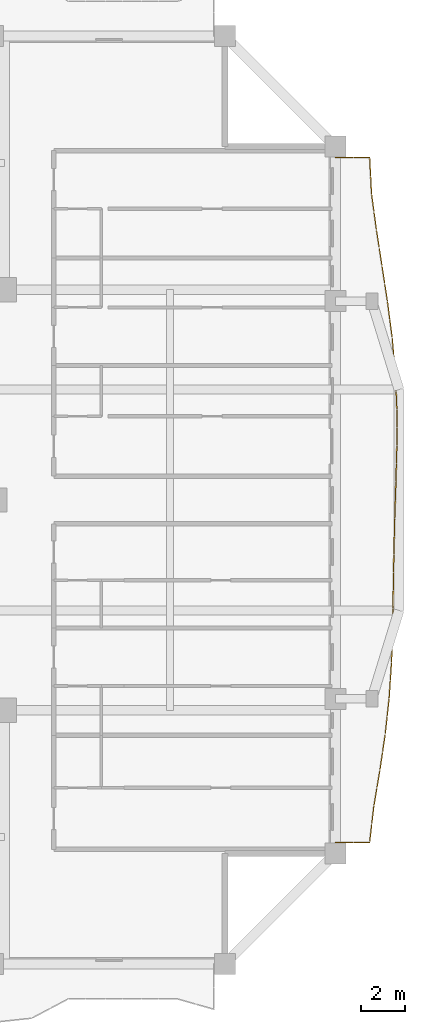
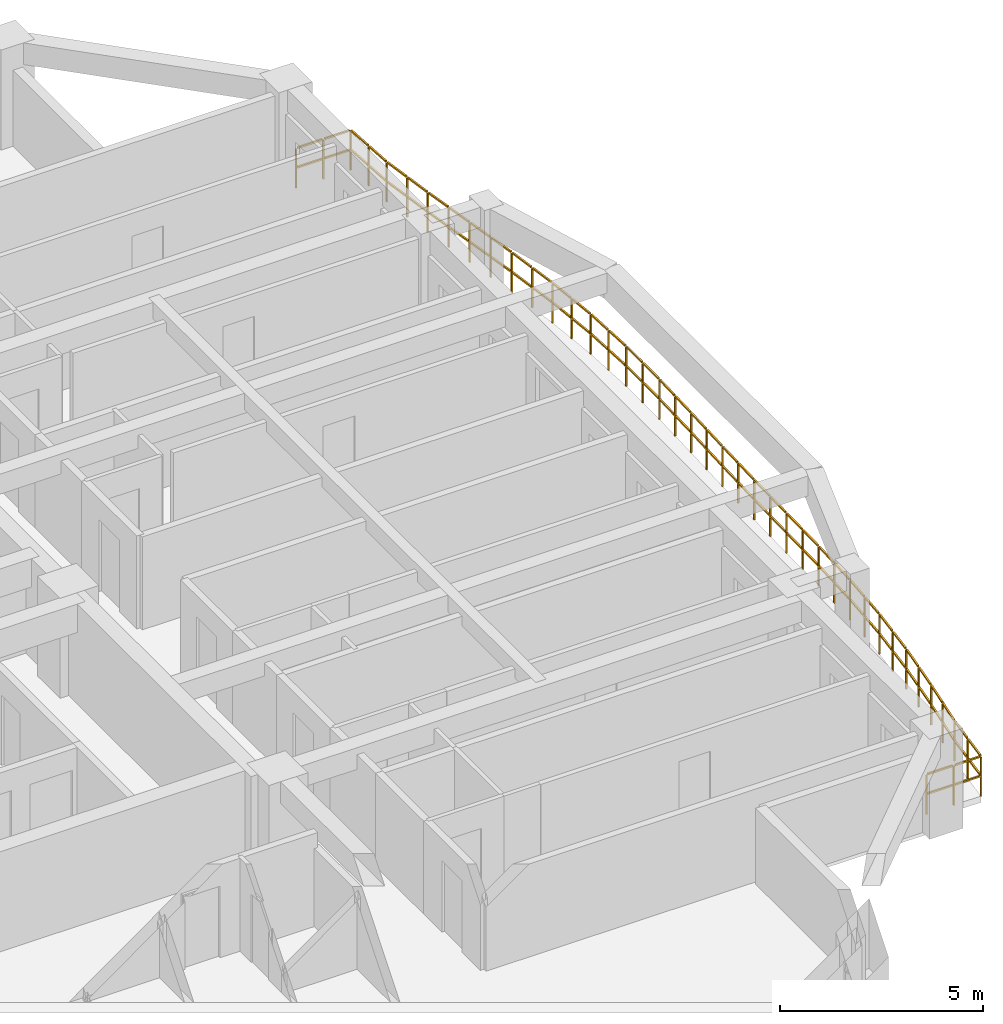
# One storey, part 14 of 15: 1 railing.
"""IFC4 building model written with IfcOpenShell, lengths in metres."""

from ifc_helpers import new_model, si_unit, direction, frame, origin, origin_2d, place, context, subcontext, project, spatial, rectangle, extrude, material, type_object, element, save


model = new_model("IFC4")

# Units and contexts
model_context = context("Model", 3, precision=1e-05, world=origin(), true_north=direction((0.0, 1.0)))
body_context = subcontext(model_context, "Body", "Model", "MODEL_VIEW")
ifc_project = project(units=[si_unit("LENGTHUNIT", "METRE"), si_unit("AREAUNIT", "SQUARE_METRE"), si_unit("VOLUMEUNIT", "CUBIC_METRE"), si_unit("PLANEANGLEUNIT", "RADIAN"), si_unit("MASSUNIT", "GRAM", prefix="KILO")], contexts=[model_context])

# Site, building, storey
site_placement = place(None, origin())
site = spatial("IfcSite", under=ifc_project, at=site_placement, CompositionType="ELEMENT")
building_placement = place(site_placement, origin())
building = spatial("IfcBuilding", under=site, at=building_placement, Name="Saelheon Loggia Tower", CompositionType="ELEMENT")
storey_placement = place(building_placement, frame((0.0, 0.0, 163.0)))
storey = spatial("IfcBuildingStorey", under=building, at=storey_placement, Name="L51", CompositionType="ELEMENT", Elevation=163.0)

# Railing
ifc_material = material(Name="Architectural Precast Concrete and Laminated Glass Guard", Category="concrete")
railing_type = type_object("IfcRailingType", Name="Guard_Loggia_RL_LOG", PredefinedType="BALUSTRADE", material=ifc_material)
railing_placement = place(storey_placement, frame((60.0, 11.5, 0.0)))
element("IfcRailing", 1, at=railing_placement, inside=storey, type_object=railing_type, Name="L51 East Loggia Balustrade", PredefinedType="BALUSTRADE", context=body_context, shape_type="SweptSolid", body=[
    extrude(rectangle(XDim=0.048095703125, YDim=0.048095703125, at=origin_2d()), frame((0.033203125, 0.0, 1.19580078125), z_axis=(1.0, 0.0, 0.0), x_axis=(0.0, 1.0, 0.0)), (0.0, 0.0, 1.0), 0.70849609375),
    extrude(rectangle(XDim=0.048095703125, YDim=0.048095703125, at=origin_2d()), frame((0.033203125, 0.0, 0.60986328125), z_axis=(1.0, 0.0, 0.0), x_axis=(0.0, 1.0, 0.0)), (0.0, 0.0, 1.0), 0.70849609375),
    extrude(rectangle(XDim=0.048095703125, YDim=0.048095703125, at=origin_2d()), frame((0.808349609375, 0.0, 1.19580078125), z_axis=(1.0, 0.0, 0.0), x_axis=(0.0, 1.0, 0.0)), (0.0, 0.0, 1.0), 0.70849609375),
    extrude(rectangle(XDim=0.048095703125, YDim=0.048095703125, at=origin_2d()), frame((0.808349609375, 0.0, 0.60986328125), z_axis=(1.0, 0.0, 0.0), x_axis=(0.0, 1.0, 0.0)), (0.0, 0.0, 1.0), 0.70849609375),
    extrude(rectangle(XDim=0.048095703125, YDim=0.048095703125, at=origin_2d()), frame((1.553955078125, 0.032958984375, 1.19580078125), z_axis=(0.11592713187, 0.993257720884, 0.0), x_axis=(-0.993257720884, 0.11592713187, 0.0)), (0.0, 0.0, 1.0), 0.7548828125),
    extrude(rectangle(XDim=0.048095703125, YDim=0.048095703125, at=origin_2d()), frame((1.553955078125, 0.032958984375, 0.60986328125), z_axis=(0.11592713187, 0.993257720884, 0.0), x_axis=(-0.993257720884, 0.11592713187, 0.0)), (0.0, 0.0, 1.0), 0.7548828125),
    extrude(rectangle(XDim=0.048095703125, YDim=0.048095703125, at=origin_2d()), frame((1.649169921875, 0.848876953125, 1.19580078125), z_axis=(0.11592713187, 0.993257720884, 0.0), x_axis=(-0.993257720884, 0.11592713187, 0.0)), (0.0, 0.0, 1.0), 0.7548828125),
    extrude(rectangle(XDim=0.048095703125, YDim=0.048095703125, at=origin_2d()), frame((1.649169921875, 0.848876953125, 0.60986328125), z_axis=(0.11592713187, 0.993257720884, 0.0), x_axis=(-0.993257720884, 0.11592713187, 0.0)), (0.0, 0.0, 1.0), 0.7548828125),
    extrude(rectangle(XDim=0.048095703125, YDim=0.048095703125, at=origin_2d()), frame((1.74609375, 1.664306640625, 1.19580078125), z_axis=(0.166719283861, 0.98600440181, 0.0), x_axis=(-0.98600440181, 0.166719283861, 0.0)), (0.0, 0.0, 1.0), 0.760986328125),
    extrude(rectangle(XDim=0.048095703125, YDim=0.048095703125, at=origin_2d()), frame((1.74609375, 1.664306640625, 0.60986328125), z_axis=(0.166719283861, 0.98600440181, 0.0), x_axis=(-0.98600440181, 0.166719283861, 0.0)), (0.0, 0.0, 1.0), 0.760986328125),
    extrude(rectangle(XDim=0.048095703125, YDim=0.048095703125, at=origin_2d()), frame((1.884033203125, 2.480224609375, 1.19580078125), z_axis=(0.166719283861, 0.98600440181, 0.0), x_axis=(-0.98600440181, 0.166719283861, 0.0)), (0.0, 0.0, 1.0), 0.760986328125),
    extrude(rectangle(XDim=0.048095703125, YDim=0.048095703125, at=origin_2d()), frame((1.884033203125, 2.480224609375, 0.60986328125), z_axis=(0.166719283861, 0.98600440181, 0.0), x_axis=(-0.98600440181, 0.166719283861, 0.0)), (0.0, 0.0, 1.0), 0.760986328125),
    extrude(rectangle(XDim=0.048095703125, YDim=0.048095703125, at=origin_2d()), frame((2.021240234375, 3.296142578125, 1.19580078125), z_axis=(0.145378914052, 0.989376051534, 0.0), x_axis=(-0.989376051534, 0.145378914052, 0.0)), (0.0, 0.0, 1.0), 0.758056640625),
    extrude(rectangle(XDim=0.048095703125, YDim=0.048095703125, at=origin_2d()), frame((2.021240234375, 3.296142578125, 0.60986328125), z_axis=(0.145378914052, 0.989376051534, 0.0), x_axis=(-0.989376051534, 0.145378914052, 0.0)), (0.0, 0.0, 1.0), 0.758056640625),
    extrude(rectangle(XDim=0.048095703125, YDim=0.048095703125, at=origin_2d()), frame((2.14111328125, 4.11181640625, 1.19580078125), z_axis=(0.145378914052, 0.989376051534, 0.0), x_axis=(-0.989376051534, 0.145378914052, 0.0)), (0.0, 0.0, 1.0), 0.758056640625),
    extrude(rectangle(XDim=0.048095703125, YDim=0.048095703125, at=origin_2d()), frame((2.14111328125, 4.11181640625, 0.60986328125), z_axis=(0.145378914052, 0.989376051534, 0.0), x_axis=(-0.989376051534, 0.145378914052, 0.0)), (0.0, 0.0, 1.0), 0.758056640625),
    extrude(rectangle(XDim=0.048095703125, YDim=0.048095703125, at=origin_2d()), frame((2.259765625, 4.927734375, 1.19580078125), z_axis=(0.107998454426, 0.994151061882, 0.0), x_axis=(-0.994151061882, 0.107998454426, 0.0)), (0.0, 0.0, 1.0), 0.754150390625),
    extrude(rectangle(XDim=0.048095703125, YDim=0.048095703125, at=origin_2d()), frame((2.259765625, 4.927734375, 0.60986328125), z_axis=(0.107998454426, 0.994151061882, 0.0), x_axis=(-0.994151061882, 0.107998454426, 0.0)), (0.0, 0.0, 1.0), 0.754150390625),
    extrude(rectangle(XDim=0.048095703125, YDim=0.048095703125, at=origin_2d()), frame((2.348388671875, 5.74365234375, 1.19580078125), z_axis=(0.107998454426, 0.994151061882, 0.0), x_axis=(-0.994151061882, 0.107998454426, 0.0)), (0.0, 0.0, 1.0), 0.754150390625),
    extrude(rectangle(XDim=0.048095703125, YDim=0.048095703125, at=origin_2d()), frame((2.348388671875, 5.74365234375, 0.60986328125), z_axis=(0.107998454426, 0.994151061882, 0.0), x_axis=(-0.994151061882, 0.107998454426, 0.0)), (0.0, 0.0, 1.0), 0.754150390625),
    extrude(rectangle(XDim=0.048095703125, YDim=0.048095703125, at=origin_2d()), frame((2.435546875, 6.5595703125, 1.19580078125), z_axis=(0.066142438238, 0.997810191301, 0.0), x_axis=(-0.997810191301, 0.066142438238, 0.0)), (0.0, 0.0, 1.0), 0.751220703125),
    extrude(rectangle(XDim=0.048095703125, YDim=0.048095703125, at=origin_2d()), frame((2.435546875, 6.5595703125, 0.60986328125), z_axis=(0.066142438238, 0.997810191301, 0.0), x_axis=(-0.997810191301, 0.066142438238, 0.0)), (0.0, 0.0, 1.0), 0.751220703125),
    extrude(rectangle(XDim=0.048095703125, YDim=0.048095703125, at=origin_2d()), frame((2.48974609375, 7.375244140625, 1.19580078125), z_axis=(0.066142438238, 0.997810191301, 0.0), x_axis=(-0.997810191301, 0.066142438238, 0.0)), (0.0, 0.0, 1.0), 0.751220703125),
    extrude(rectangle(XDim=0.048095703125, YDim=0.048095703125, at=origin_2d()), frame((2.48974609375, 7.375244140625, 0.60986328125), z_axis=(0.066142438238, 0.997810191301, 0.0), x_axis=(-0.997810191301, 0.066142438238, 0.0)), (0.0, 0.0, 1.0), 0.751220703125),
    extrude(rectangle(XDim=0.048095703125, YDim=0.048095703125, at=origin_2d()), frame((2.54248046875, 8.191162109375, 1.19580078125), z_axis=(0.032453343645, 0.999473251511, 0.0), x_axis=(-0.999473251511, 0.032453343645, 0.0)), (0.0, 0.0, 1.0), 0.749755859375),
    extrude(rectangle(XDim=0.048095703125, YDim=0.048095703125, at=origin_2d()), frame((2.54248046875, 8.191162109375, 0.60986328125), z_axis=(0.032453343645, 0.999473251511, 0.0), x_axis=(-0.999473251511, 0.032453343645, 0.0)), (0.0, 0.0, 1.0), 0.749755859375),
    extrude(rectangle(XDim=0.048095703125, YDim=0.048095703125, at=origin_2d()), frame((2.569091796875, 9.007080078125, 1.19580078125), z_axis=(0.032453343645, 0.999473251511, 0.0), x_axis=(-0.999473251511, 0.032453343645, 0.0)), (0.0, 0.0, 1.0), 0.749755859375),
    extrude(rectangle(XDim=0.048095703125, YDim=0.048095703125, at=origin_2d()), frame((2.569091796875, 9.007080078125, 0.60986328125), z_axis=(0.032453343645, 0.999473251511, 0.0), x_axis=(-0.999473251511, 0.032453343645, 0.0)), (0.0, 0.0, 1.0), 0.749755859375),
    extrude(rectangle(XDim=0.048095703125, YDim=0.048095703125, at=origin_2d()), frame((2.594970703125, 9.82275390625, 1.19580078125), z_axis=(0.015559989428, 0.999878936036, 0.0), x_axis=(-0.999878936036, 0.015559989428, 0.0)), (0.0, 0.0, 1.0), 0.74951171875),
    extrude(rectangle(XDim=0.048095703125, YDim=0.048095703125, at=origin_2d()), frame((2.594970703125, 9.82275390625, 0.60986328125), z_axis=(0.015559989428, 0.999878936036, 0.0), x_axis=(-0.999878936036, 0.015559989428, 0.0)), (0.0, 0.0, 1.0), 0.74951171875),
    extrude(rectangle(XDim=0.048095703125, YDim=0.048095703125, at=origin_2d()), frame((2.607666015625, 10.638671875, 1.19580078125), z_axis=(0.015559989428, 0.999878936036, 0.0), x_axis=(-0.999878936036, 0.015559989428, 0.0)), (0.0, 0.0, 1.0), 0.74951171875),
    extrude(rectangle(XDim=0.048095703125, YDim=0.048095703125, at=origin_2d()), frame((2.607666015625, 10.638671875, 0.60986328125), z_axis=(0.015559989428, 0.999878936036, 0.0), x_axis=(-0.999878936036, 0.015559989428, 0.0)), (0.0, 0.0, 1.0), 0.74951171875),
    extrude(rectangle(XDim=0.048095703125, YDim=0.048095703125, at=origin_2d()), frame((2.620361328125, 11.454345703125, 1.19580078125), z_axis=(0.015562317507, 0.999878899804, 0.0), x_axis=(-0.999878899804, 0.015562317507, 0.0)), (0.0, 0.0, 1.0), 0.749267578125),
    extrude(rectangle(XDim=0.048095703125, YDim=0.048095703125, at=origin_2d()), frame((2.620361328125, 11.454345703125, 0.60986328125), z_axis=(0.015562317507, 0.999878899804, 0.0), x_axis=(-0.999878899804, 0.015562317507, 0.0)), (0.0, 0.0, 1.0), 0.749267578125),
    extrude(rectangle(XDim=0.048095703125, YDim=0.048095703125, at=origin_2d()), frame((2.633056640625, 12.27001953125, 1.19580078125), z_axis=(0.015562317507, 0.999878899804, 0.0), x_axis=(-0.999878899804, 0.015562317507, 0.0)), (0.0, 0.0, 1.0), 0.749267578125),
    extrude(rectangle(XDim=0.048095703125, YDim=0.048095703125, at=origin_2d()), frame((2.633056640625, 12.27001953125, 0.60986328125), z_axis=(0.015562317507, 0.999878899804, 0.0), x_axis=(-0.999878899804, 0.015562317507, 0.0)), (0.0, 0.0, 1.0), 0.749267578125),
    extrude(rectangle(XDim=0.048095703125, YDim=0.048095703125, at=origin_2d()), frame((2.64599609375, 13.085693359375, 1.19580078125), z_axis=(0.024980979164, 0.999687926645, 0.0), x_axis=(-0.999687926645, 0.024980979164, 0.0)), (0.0, 0.0, 1.0), 0.74951171875),
    extrude(rectangle(XDim=0.048095703125, YDim=0.048095703125, at=origin_2d()), frame((2.64599609375, 13.085693359375, 0.60986328125), z_axis=(0.024980979164, 0.999687926645, 0.0), x_axis=(-0.999687926645, 0.024980979164, 0.0)), (0.0, 0.0, 1.0), 0.74951171875),
    extrude(rectangle(XDim=0.048095703125, YDim=0.048095703125, at=origin_2d()), frame((2.66650390625, 13.901611328125, 1.19580078125), z_axis=(0.024980979164, 0.999687926645, 0.0), x_axis=(-0.999687926645, 0.024980979164, 0.0)), (0.0, 0.0, 1.0), 0.74951171875),
    extrude(rectangle(XDim=0.048095703125, YDim=0.048095703125, at=origin_2d()), frame((2.66650390625, 13.901611328125, 0.60986328125), z_axis=(0.024980979164, 0.999687926645, 0.0), x_axis=(-0.999687926645, 0.024980979164, 0.0)), (0.0, 0.0, 1.0), 0.74951171875),
    extrude(rectangle(XDim=0.048095703125, YDim=0.048095703125, at=origin_2d()), frame((2.68701171875, 14.71728515625, 1.19580078125), z_axis=(0.032149739476, 0.999483063514, 0.0), x_axis=(-0.999483063514, 0.032149739476, 0.0)), (0.0, 0.0, 1.0), 0.749755859375),
    extrude(rectangle(XDim=0.048095703125, YDim=0.048095703125, at=origin_2d()), frame((2.68701171875, 14.71728515625, 0.60986328125), z_axis=(0.032149739476, 0.999483063514, 0.0), x_axis=(-0.999483063514, 0.032149739476, 0.0)), (0.0, 0.0, 1.0), 0.749755859375),
    extrude(rectangle(XDim=0.048095703125, YDim=0.048095703125, at=origin_2d()), frame((2.71337890625, 15.533203125, 1.19580078125), z_axis=(0.032149739476, 0.999483063514, 0.0), x_axis=(-0.999483063514, 0.032149739476, 0.0)), (0.0, 0.0, 1.0), 0.749755859375),
    extrude(rectangle(XDim=0.048095703125, YDim=0.048095703125, at=origin_2d()), frame((2.71337890625, 15.533203125, 0.60986328125), z_axis=(0.032149739476, 0.999483063514, 0.0), x_axis=(-0.999483063514, 0.032149739476, 0.0)), (0.0, 0.0, 1.0), 0.749755859375),
    extrude(rectangle(XDim=0.048095703125, YDim=0.048095703125, at=origin_2d()), frame((2.739501953125, 16.34912109375, 1.19580078125), z_axis=(0.026027390997, 0.999661230076, 0.0), x_axis=(-0.999661230076, 0.026027390997, 0.0)), (0.0, 0.0, 1.0), 0.74951171875),
    extrude(rectangle(XDim=0.048095703125, YDim=0.048095703125, at=origin_2d()), frame((2.739501953125, 16.34912109375, 0.60986328125), z_axis=(0.026027390997, 0.999661230076, 0.0), x_axis=(-0.999661230076, 0.026027390997, 0.0)), (0.0, 0.0, 1.0), 0.74951171875),
    extrude(rectangle(XDim=0.048095703125, YDim=0.048095703125, at=origin_2d()), frame((2.7607421875, 17.1650390625, 1.19580078125), z_axis=(0.026027390997, 0.999661230076, 0.0), x_axis=(-0.999661230076, 0.026027390997, 0.0)), (0.0, 0.0, 1.0), 0.74951171875),
    extrude(rectangle(XDim=0.048095703125, YDim=0.048095703125, at=origin_2d()), frame((2.7607421875, 17.1650390625, 0.60986328125), z_axis=(0.026027390997, 0.999661230076, 0.0), x_axis=(-0.999661230076, 0.026027390997, 0.0)), (0.0, 0.0, 1.0), 0.74951171875),
    extrude(rectangle(XDim=0.048095703125, YDim=0.048095703125, at=origin_2d()), frame((2.781005859375, 17.980712890625, 1.19580078125), z_axis=(0.000748278749, 0.999999720039, 0.0), x_axis=(-0.999999720039, 0.000748278749, 0.0)), (0.0, 0.0, 1.0), 0.749267578125),
    extrude(rectangle(XDim=0.048095703125, YDim=0.048095703125, at=origin_2d()), frame((2.781005859375, 17.980712890625, 0.60986328125), z_axis=(0.000748278749, 0.999999720039, 0.0), x_axis=(-0.999999720039, 0.000748278749, 0.0)), (0.0, 0.0, 1.0), 0.749267578125),
    extrude(rectangle(XDim=0.048095703125, YDim=0.048095703125, at=origin_2d()), frame((2.78173828125, 18.79638671875, 1.19580078125), z_axis=(0.000748278749, 0.999999720039, 0.0), x_axis=(-0.999999720039, 0.000748278749, 0.0)), (0.0, 0.0, 1.0), 0.749267578125),
    extrude(rectangle(XDim=0.048095703125, YDim=0.048095703125, at=origin_2d()), frame((2.78173828125, 18.79638671875, 0.60986328125), z_axis=(0.000748278749, 0.999999720039, 0.0), x_axis=(-0.999999720039, 0.000748278749, 0.0)), (0.0, 0.0, 1.0), 0.749267578125),
    extrude(rectangle(XDim=0.048095703125, YDim=0.048095703125, at=origin_2d()), frame((2.78076171875, 19.612060546875, 1.19580078125), z_axis=(-0.040666615849, 0.999172771024, 0.0), x_axis=(-0.999172771024, -0.040666615849, 0.0)), (0.0, 0.0, 1.0), 0.75),
    extrude(rectangle(XDim=0.048095703125, YDim=0.048095703125, at=origin_2d()), frame((2.78076171875, 19.612060546875, 0.60986328125), z_axis=(-0.040666615849, 0.999172771024, 0.0), x_axis=(-0.999172771024, -0.040666615849, 0.0)), (0.0, 0.0, 1.0), 0.75),
    extrude(rectangle(XDim=0.048095703125, YDim=0.048095703125, at=origin_2d()), frame((2.74755859375, 20.427978515625, 1.19580078125), z_axis=(-0.040666615849, 0.999172771024, 0.0), x_axis=(-0.999172771024, -0.040666615849, 0.0)), (0.0, 0.0, 1.0), 0.75),
    extrude(rectangle(XDim=0.048095703125, YDim=0.048095703125, at=origin_2d()), frame((2.74755859375, 20.427978515625, 0.60986328125), z_axis=(-0.040666615849, 0.999172771024, 0.0), x_axis=(-0.999172771024, -0.040666615849, 0.0)), (0.0, 0.0, 1.0), 0.75),
    extrude(rectangle(XDim=0.048095703125, YDim=0.048095703125, at=origin_2d()), frame((2.712890625, 21.24365234375, 1.19580078125), z_axis=(-0.088237451096, 0.996099469041, 0.0), x_axis=(-0.996099469041, -0.088237451096, 0.0)), (0.0, 0.0, 1.0), 0.75244140625),
    extrude(rectangle(XDim=0.048095703125, YDim=0.048095703125, at=origin_2d()), frame((2.712890625, 21.24365234375, 0.60986328125), z_axis=(-0.088237451096, 0.996099469041, 0.0), x_axis=(-0.996099469041, -0.088237451096, 0.0)), (0.0, 0.0, 1.0), 0.75244140625),
    extrude(rectangle(XDim=0.048095703125, YDim=0.048095703125, at=origin_2d()), frame((2.640625, 22.059326171875, 1.19580078125), z_axis=(-0.088237451096, 0.996099469041, 0.0), x_axis=(-0.996099469041, -0.088237451096, 0.0)), (0.0, 0.0, 1.0), 0.75244140625),
    extrude(rectangle(XDim=0.048095703125, YDim=0.048095703125, at=origin_2d()), frame((2.640625, 22.059326171875, 0.60986328125), z_axis=(-0.088237451096, 0.996099469041, 0.0), x_axis=(-0.996099469041, -0.088237451096, 0.0)), (0.0, 0.0, 1.0), 0.75244140625),
    extrude(rectangle(XDim=0.048095703125, YDim=0.048095703125, at=origin_2d()), frame((2.56689453125, 22.875, 1.19580078125), z_axis=(-0.128945873012, 0.991651633303, 0.0), x_axis=(-0.991651633303, -0.128945873012, 0.0)), (0.0, 0.0, 1.0), 0.756103515625),
    extrude(rectangle(XDim=0.048095703125, YDim=0.048095703125, at=origin_2d()), frame((2.56689453125, 22.875, 0.60986328125), z_axis=(-0.128945873012, 0.991651633303, 0.0), x_axis=(-0.991651633303, -0.128945873012, 0.0)), (0.0, 0.0, 1.0), 0.756103515625),
    extrude(rectangle(XDim=0.048095703125, YDim=0.048095703125, at=origin_2d()), frame((2.4609375, 23.690673828125, 1.19580078125), z_axis=(-0.128945873012, 0.991651633303, 0.0), x_axis=(-0.991651633303, -0.128945873012, 0.0)), (0.0, 0.0, 1.0), 0.756103515625),
    extrude(rectangle(XDim=0.048095703125, YDim=0.048095703125, at=origin_2d()), frame((2.4609375, 23.690673828125, 0.60986328125), z_axis=(-0.128945873012, 0.991651633303, 0.0), x_axis=(-0.991651633303, -0.128945873012, 0.0)), (0.0, 0.0, 1.0), 0.756103515625),
    extrude(rectangle(XDim=0.048095703125, YDim=0.048095703125, at=origin_2d()), frame((2.35400390625, 24.506591796875, 1.19580078125), z_axis=(-0.151601487322, 0.988441697341, 0.0), x_axis=(-0.988441697341, -0.151601487322, 0.0)), (0.0, 0.0, 1.0), 0.7587890625),
    extrude(rectangle(XDim=0.048095703125, YDim=0.048095703125, at=origin_2d()), frame((2.35400390625, 24.506591796875, 0.60986328125), z_axis=(-0.151601487322, 0.988441697341, 0.0), x_axis=(-0.988441697341, -0.151601487322, 0.0)), (0.0, 0.0, 1.0), 0.7587890625),
    extrude(rectangle(XDim=0.048095703125, YDim=0.048095703125, at=origin_2d()), frame((2.22900390625, 25.322265625, 1.19580078125), z_axis=(-0.151601487322, 0.988441697341, 0.0), x_axis=(-0.988441697341, -0.151601487322, 0.0)), (0.0, 0.0, 1.0), 0.7587890625),
    extrude(rectangle(XDim=0.048095703125, YDim=0.048095703125, at=origin_2d()), frame((2.22900390625, 25.322265625, 0.60986328125), z_axis=(-0.151601487322, 0.988441697341, 0.0), x_axis=(-0.988441697341, -0.151601487322, 0.0)), (0.0, 0.0, 1.0), 0.7587890625),
    extrude(rectangle(XDim=0.048095703125, YDim=0.048095703125, at=origin_2d()), frame((2.103759765625, 26.13818359375, 1.19580078125), z_axis=(-0.152323888709, 0.988330629359, 0.0), x_axis=(-0.988330629359, -0.152323888709, 0.0)), (0.0, 0.0, 1.0), 0.759033203125),
    extrude(rectangle(XDim=0.048095703125, YDim=0.048095703125, at=origin_2d()), frame((2.103759765625, 26.13818359375, 0.60986328125), z_axis=(-0.152323888709, 0.988330629359, 0.0), x_axis=(-0.988330629359, -0.152323888709, 0.0)), (0.0, 0.0, 1.0), 0.759033203125),
    extrude(rectangle(XDim=0.048095703125, YDim=0.048095703125, at=origin_2d()), frame((1.97802734375, 26.953857421875, 1.19580078125), z_axis=(-0.152323888709, 0.988330629359, 0.0), x_axis=(-0.988330629359, -0.152323888709, 0.0)), (0.0, 0.0, 1.0), 0.759033203125),
    extrude(rectangle(XDim=0.048095703125, YDim=0.048095703125, at=origin_2d()), frame((1.97802734375, 26.953857421875, 0.60986328125), z_axis=(-0.152323888709, 0.988330629359, 0.0), x_axis=(-0.988330629359, -0.152323888709, 0.0)), (0.0, 0.0, 1.0), 0.759033203125),
    extrude(rectangle(XDim=0.048095703125, YDim=0.048095703125, at=origin_2d()), frame((1.85302734375, 27.769775390625, 1.19580078125), z_axis=(-0.134484591682, 0.99091568491, 0.0), x_axis=(-0.99091568491, -0.134484591682, 0.0)), (0.0, 0.0, 1.0), 0.7568359375),
    extrude(rectangle(XDim=0.048095703125, YDim=0.048095703125, at=origin_2d()), frame((1.85302734375, 27.769775390625, 0.60986328125), z_axis=(-0.134484591682, 0.99091568491, 0.0), x_axis=(-0.99091568491, -0.134484591682, 0.0)), (0.0, 0.0, 1.0), 0.7568359375),
    extrude(rectangle(XDim=0.048095703125, YDim=0.048095703125, at=origin_2d()), frame((1.7421875, 28.58544921875, 1.19580078125), z_axis=(-0.134484591682, 0.99091568491, 0.0), x_axis=(-0.99091568491, -0.134484591682, 0.0)), (0.0, 0.0, 1.0), 0.7568359375),
    extrude(rectangle(XDim=0.048095703125, YDim=0.048095703125, at=origin_2d()), frame((1.7421875, 28.58544921875, 0.60986328125), z_axis=(-0.134484591682, 0.99091568491, 0.0), x_axis=(-0.99091568491, -0.134484591682, 0.0)), (0.0, 0.0, 1.0), 0.7568359375),
    extrude(rectangle(XDim=0.048095703125, YDim=0.048095703125, at=origin_2d()), frame((1.63427734375, 29.401611328125, 1.19580078125), z_axis=(-0.052598047159, 0.998615764664, 0.0), x_axis=(-0.998615764664, -0.052598047159, 0.0)), (0.0, 0.0, 1.0), 0.75048828125),
    extrude(rectangle(XDim=0.048095703125, YDim=0.048095703125, at=origin_2d()), frame((1.63427734375, 29.401611328125, 0.60986328125), z_axis=(-0.052598047159, 0.998615764664, 0.0), x_axis=(-0.998615764664, -0.052598047159, 0.0)), (0.0, 0.0, 1.0), 0.75048828125),
    extrude(rectangle(XDim=0.048095703125, YDim=0.048095703125, at=origin_2d()), frame((1.59130859375, 30.21728515625, 1.19580078125), z_axis=(-0.052598047159, 0.998615764664, 0.0), x_axis=(-0.998615764664, -0.052598047159, 0.0)), (0.0, 0.0, 1.0), 0.75048828125),
    extrude(rectangle(XDim=0.048095703125, YDim=0.048095703125, at=origin_2d()), frame((1.59130859375, 30.21728515625, 0.60986328125), z_axis=(-0.052598047159, 0.998615764664, 0.0), x_axis=(-0.998615764664, -0.052598047159, 0.0)), (0.0, 0.0, 1.0), 0.75048828125),
    extrude(rectangle(XDim=0.048095703125, YDim=0.048095703125, at=origin_2d()), frame((1.516845703125, 31.0, 1.19580078125), z_axis=(-1.0, 0.0, 0.0), x_axis=(0.0, -1.0, 0.0)), (0.0, 0.0, 1.0), 0.70849609375),
    extrude(rectangle(XDim=0.048095703125, YDim=0.048095703125, at=origin_2d()), frame((1.516845703125, 31.0, 0.60986328125), z_axis=(-1.0, 0.0, 0.0), x_axis=(0.0, -1.0, 0.0)), (0.0, 0.0, 1.0), 0.70849609375),
    extrude(rectangle(XDim=0.048095703125, YDim=0.048095703125, at=origin_2d()), frame((0.74169921875, 31.0, 1.19580078125), z_axis=(-1.0, 0.0, 0.0), x_axis=(0.0, -1.0, 0.0)), (0.0, 0.0, 1.0), 0.70849609375),
    extrude(rectangle(XDim=0.048095703125, YDim=0.048095703125, at=origin_2d()), frame((0.74169921875, 31.0, 0.60986328125), z_axis=(-1.0, 0.0, 0.0), x_axis=(0.0, -1.0, 0.0)), (0.0, 0.0, 1.0), 0.70849609375),
    extrude(rectangle(XDim=0.0419921875, YDim=0.0419921875, at=origin_2d()), origin(), (0.0, 0.0, 1.0), 1.16796875),
    extrude(rectangle(XDim=0.0419921875, YDim=0.0419921875, at=origin_2d()), frame((0.77490234375, 0.0, 0.0)), (0.0, 0.0, 1.0), 1.16796875),
    extrude(rectangle(XDim=0.0419921875, YDim=0.0419921875, at=origin_2d()), frame((1.550048828125, 0.0, 0.0)), (0.0, 0.0, 1.0), 1.16796875),
    extrude(rectangle(XDim=0.0419921875, YDim=0.0419921875, at=origin_2d()), frame((1.645263671875, 0.81591796875, 0.0)), (0.0, 0.0, 1.0), 1.16796875),
    extrude(rectangle(XDim=0.0419921875, YDim=0.0419921875, at=origin_2d()), frame((1.740478515625, 1.631591796875, 0.0)), (0.0, 0.0, 1.0), 1.16796875),
    extrude(rectangle(XDim=0.0419921875, YDim=0.0419921875, at=origin_2d()), frame((1.87841796875, 2.447265625, 0.0)), (0.0, 0.0, 1.0), 1.16796875),
    extrude(rectangle(XDim=0.0419921875, YDim=0.0419921875, at=origin_2d()), frame((2.016357421875, 3.26318359375, 0.0)), (0.0, 0.0, 1.0), 1.16796875),
    extrude(rectangle(XDim=0.0419921875, YDim=0.0419921875, at=origin_2d()), frame((2.13623046875, 4.0791015625, 0.0)), (0.0, 0.0, 1.0), 1.16796875),
    extrude(rectangle(XDim=0.0419921875, YDim=0.0419921875, at=origin_2d()), frame((2.256103515625, 4.894775390625, 0.0)), (0.0, 0.0, 1.0), 1.16796875),
    extrude(rectangle(XDim=0.0419921875, YDim=0.0419921875, at=origin_2d()), frame((2.3447265625, 5.71044921875, 0.0)), (0.0, 0.0, 1.0), 1.16796875),
    extrude(rectangle(XDim=0.0419921875, YDim=0.0419921875, at=origin_2d()), frame((2.433349609375, 6.5263671875, 0.0)), (0.0, 0.0, 1.0), 1.16796875),
    extrude(rectangle(XDim=0.0419921875, YDim=0.0419921875, at=origin_2d()), frame((2.4873046875, 7.34228515625, 0.0)), (0.0, 0.0, 1.0), 1.16796875),
    extrude(rectangle(XDim=0.0419921875, YDim=0.0419921875, at=origin_2d()), frame((2.54150390625, 8.157958984375, 0.0)), (0.0, 0.0, 1.0), 1.16796875),
    extrude(rectangle(XDim=0.0419921875, YDim=0.0419921875, at=origin_2d()), frame((2.56787109375, 8.9736328125, 0.0)), (0.0, 0.0, 1.0), 1.16796875),
    extrude(rectangle(XDim=0.0419921875, YDim=0.0419921875, at=origin_2d()), frame((2.594482421875, 9.78955078125, 0.0)), (0.0, 0.0, 1.0), 1.16796875),
    extrude(rectangle(XDim=0.0419921875, YDim=0.0419921875, at=origin_2d()), frame((2.607177734375, 10.60546875, 0.0)), (0.0, 0.0, 1.0), 1.16796875),
    extrude(rectangle(XDim=0.0419921875, YDim=0.0419921875, at=origin_2d()), frame((2.619873046875, 11.421142578125, 0.0)), (0.0, 0.0, 1.0), 1.16796875),
    extrude(rectangle(XDim=0.0419921875, YDim=0.0419921875, at=origin_2d()), frame((2.632568359375, 12.23681640625, 0.0)), (0.0, 0.0, 1.0), 1.16796875),
    extrude(rectangle(XDim=0.0419921875, YDim=0.0419921875, at=origin_2d()), frame((2.645263671875, 13.052490234375, 0.0)), (0.0, 0.0, 1.0), 1.16796875),
    extrude(rectangle(XDim=0.0419921875, YDim=0.0419921875, at=origin_2d()), frame((2.66552734375, 13.8681640625, 0.0)), (0.0, 0.0, 1.0), 1.16796875),
    extrude(rectangle(XDim=0.0419921875, YDim=0.0419921875, at=origin_2d()), frame((2.68603515625, 14.68408203125, 0.0)), (0.0, 0.0, 1.0), 1.16796875),
    extrude(rectangle(XDim=0.0419921875, YDim=0.0419921875, at=origin_2d()), frame((2.71240234375, 15.5, 0.0)), (0.0, 0.0, 1.0), 1.16796875),
    extrude(rectangle(XDim=0.0419921875, YDim=0.0419921875, at=origin_2d()), frame((2.738525390625, 16.31591796875, 0.0)), (0.0, 0.0, 1.0), 1.16796875),
    extrude(rectangle(XDim=0.0419921875, YDim=0.0419921875, at=origin_2d()), frame((2.759765625, 17.1318359375, 0.0)), (0.0, 0.0, 1.0), 1.16796875),
    extrude(rectangle(XDim=0.0419921875, YDim=0.0419921875, at=origin_2d()), frame((2.781005859375, 17.947509765625, 0.0)), (0.0, 0.0, 1.0), 1.16796875),
    extrude(rectangle(XDim=0.0419921875, YDim=0.0419921875, at=origin_2d()), frame((2.78173828125, 18.76318359375, 0.0)), (0.0, 0.0, 1.0), 1.16796875),
    extrude(rectangle(XDim=0.0419921875, YDim=0.0419921875, at=origin_2d()), frame((2.7822265625, 19.578857421875, 0.0)), (0.0, 0.0, 1.0), 1.16796875),
    extrude(rectangle(XDim=0.0419921875, YDim=0.0419921875, at=origin_2d()), frame((2.7490234375, 20.39453125, 0.0)), (0.0, 0.0, 1.0), 1.16796875),
    extrude(rectangle(XDim=0.0419921875, YDim=0.0419921875, at=origin_2d()), frame((2.7158203125, 21.21044921875, 0.0)), (0.0, 0.0, 1.0), 1.16796875),
    extrude(rectangle(XDim=0.0419921875, YDim=0.0419921875, at=origin_2d()), frame((2.6435546875, 22.0263671875, 0.0)), (0.0, 0.0, 1.0), 1.16796875),
    extrude(rectangle(XDim=0.0419921875, YDim=0.0419921875, at=origin_2d()), frame((2.5712890625, 22.842041015625, 0.0)), (0.0, 0.0, 1.0), 1.16796875),
    extrude(rectangle(XDim=0.0419921875, YDim=0.0419921875, at=origin_2d()), frame((2.46533203125, 23.65771484375, 0.0)), (0.0, 0.0, 1.0), 1.16796875),
    extrude(rectangle(XDim=0.0419921875, YDim=0.0419921875, at=origin_2d()), frame((2.359130859375, 24.4736328125, 0.0)), (0.0, 0.0, 1.0), 1.16796875),
    extrude(rectangle(XDim=0.0419921875, YDim=0.0419921875, at=origin_2d()), frame((2.23388671875, 25.28955078125, 0.0)), (0.0, 0.0, 1.0), 1.16796875),
    extrude(rectangle(XDim=0.0419921875, YDim=0.0419921875, at=origin_2d()), frame((2.10888671875, 26.105224609375, 0.0)), (0.0, 0.0, 1.0), 1.16796875),
    extrude(rectangle(XDim=0.0419921875, YDim=0.0419921875, at=origin_2d()), frame((1.983154296875, 26.9208984375, 0.0)), (0.0, 0.0, 1.0), 1.16796875),
    extrude(rectangle(XDim=0.0419921875, YDim=0.0419921875, at=origin_2d()), frame((1.857421875, 27.73681640625, 0.0)), (0.0, 0.0, 1.0), 1.16796875),
    extrude(rectangle(XDim=0.0419921875, YDim=0.0419921875, at=origin_2d()), frame((1.74658203125, 28.552734375, 0.0)), (0.0, 0.0, 1.0), 1.16796875),
    extrude(rectangle(XDim=0.0419921875, YDim=0.0419921875, at=origin_2d()), frame((1.635986328125, 29.368408203125, 0.0)), (0.0, 0.0, 1.0), 1.16796875),
    extrude(rectangle(XDim=0.0419921875, YDim=0.0419921875, at=origin_2d()), frame((1.593017578125, 30.18408203125, 0.0)), (0.0, 0.0, 1.0), 1.16796875),
    extrude(rectangle(XDim=0.0419921875, YDim=0.0419921875, at=origin_2d()), frame((1.550048828125, 31.0, 0.0)), (0.0, 0.0, 1.0), 1.16796875),
    extrude(rectangle(XDim=0.0419921875, YDim=0.0419921875, at=origin_2d()), frame((0.77490234375, 31.0, 0.0)), (0.0, 0.0, 1.0), 1.16796875),
    extrude(rectangle(XDim=0.0419921875, YDim=0.0419921875, at=origin_2d()), frame((0.0, 31.0, 0.0)), (0.0, 0.0, 1.0), 1.16796875),
])

save(model, "model.ifc")
